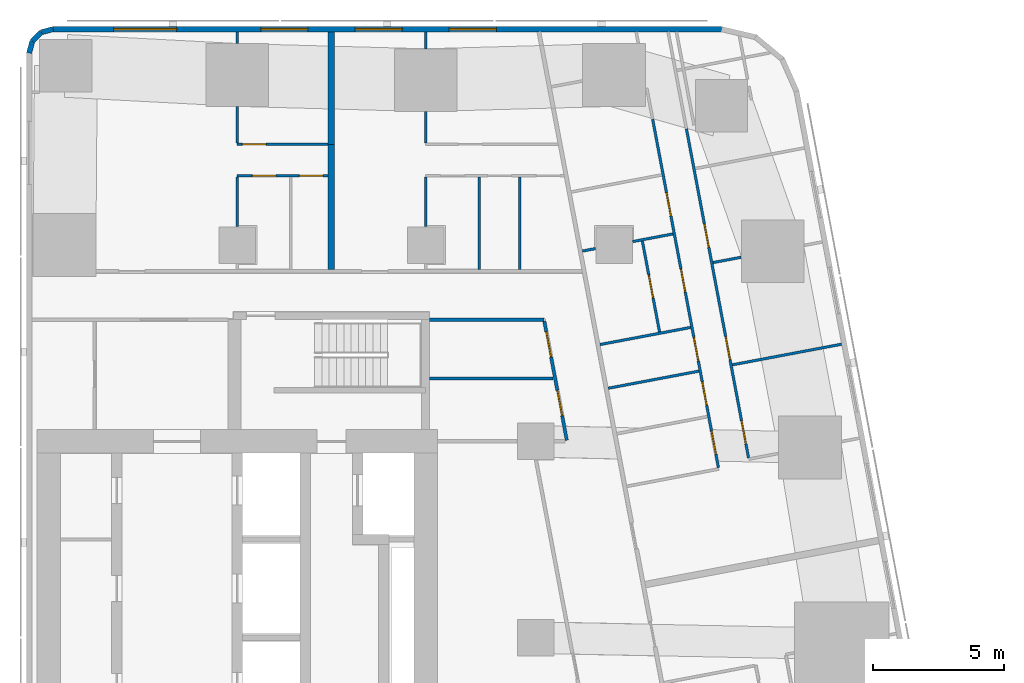
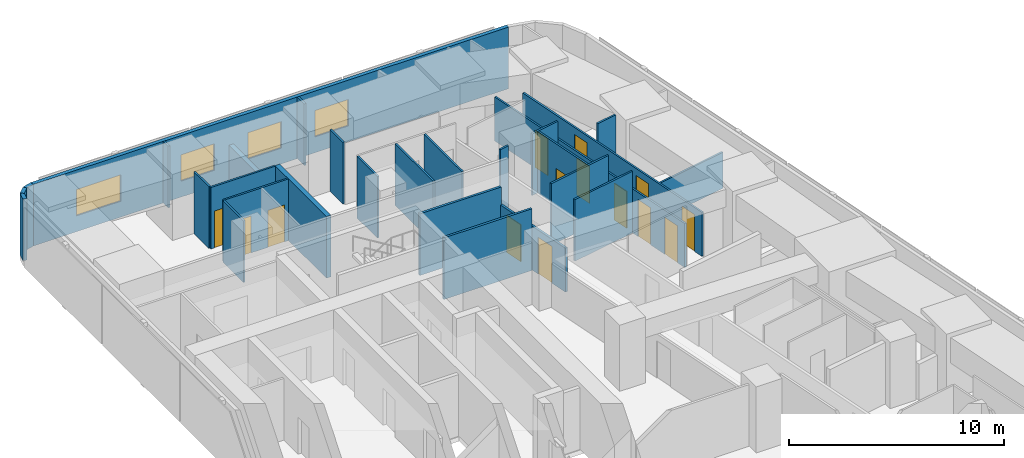
# One storey, part 7 of 10: 28 walls, 14 doors, 4 windows, 18 openings.
"""IFC4 building model written with IfcOpenShell, lengths in metres."""

from ifc_helpers import new_model, si_unit, direction, frame, frame_2d, origin, place, context, subcontext, project, spatial, rectangle, extrude, material, layer, layer_set, type_object, element, fill, save


model = new_model("IFC4")

# Units and contexts
model_context = context("Model", 3, precision=1e-05, world=origin(), true_north=direction((0.0, 1.0)))
body_context = subcontext(model_context, "Body", "Model", "MODEL_VIEW")
ifc_project = project(units=[si_unit("LENGTHUNIT", "METRE"), si_unit("AREAUNIT", "SQUARE_METRE"), si_unit("VOLUMEUNIT", "CUBIC_METRE"), si_unit("PLANEANGLEUNIT", "RADIAN"), si_unit("MASSUNIT", "GRAM", prefix="KILO")], contexts=[model_context])

# Site, building, storey
site_placement = place(None, origin())
site = spatial("IfcSite", under=ifc_project, at=site_placement, CompositionType="ELEMENT")
building_placement = place(site_placement, origin())
building = spatial("IfcBuilding", under=site, at=building_placement, Name="Sheger Commons Tower", CompositionType="ELEMENT")
storey_placement = place(building_placement, frame((0.0, 0.0, 227.449951171875)))
storey = spatial("IfcBuildingStorey", under=building, at=storey_placement, Name="L58", CompositionType="ELEMENT", Elevation=227.449951171875)

# Walls
ifc_material_1 = material(Name="Dense concrete block masonry, plastered both sides (separating wall between flats)", Category="masonry")
ifc_layer_1 = layer(ifc_material_1, 0.25)
ifc_layer_set_1 = layer_set([ifc_layer_1], Name="DEMISING WALL 250")
wall_type_1 = type_object("IfcWallType", Name="DEMISING WALL 250", PredefinedType="SOLIDWALL", material=ifc_layer_set_1)
wall_1_placement = place(storey_placement, frame((25.199951171875, 41.35009765625, 0.0), z_axis=(0.0, 0.0, 1.0), x_axis=(0.0, 1.0, 0.0)))
element("IfcWall", 1, at=wall_1_placement, inside=storey, type_object=wall_type_1, Name="Demising wall L58", PredefinedType="SOLIDWALL", context=body_context, shape_type="SweptSolid", body=[
    extrude(rectangle(XDim=4.2998046875, YDim=0.25, at=frame_2d((2.14990234375, 0.0))), origin(), (0.0, 0.0, 1.0), 2.050048828125),
])
wall_2_placement = place(storey_placement, frame((25.199951171875, 36.574951171875, 0.0), z_axis=(0.0, 0.0, 1.0), x_axis=(0.0, 1.0, 0.0)))
element("IfcWall", 2, at=wall_2_placement, inside=storey, type_object=wall_type_1, Name="Demising wall L58", PredefinedType="SOLIDWALL", context=body_context, shape_type="SweptSolid", body=[
    extrude(rectangle(XDim=4.775146484375, YDim=0.25, at=frame_2d((2.3876953125, 0.0))), origin(), (0.0, 0.0, 1.0), 3.5),
])

# Wall, openings, windows
ifc_material_2 = material(Name="Rendered concrete block masonry, dark grey", Category="masonry")
ifc_layer_2 = layer(ifc_material_2, 0.199951171875)
ifc_layer_set_2 = layer_set([ifc_layer_2], Name="FACADE WALL 200")
wall_type_2 = type_object("IfcWallType", Name="FACADE WALL 200", PredefinedType="SOLIDWALL", material=ifc_layer_set_2)
wall_3_placement = place(storey_placement, frame((40.10595703125, 45.75, 0.0), z_axis=(0.0, 0.0, 1.0), x_axis=(-1.0, 0.0, 0.0)))
wall_3 = element("IfcWall", 3, at=wall_3_placement, inside=storey, type_object=wall_type_2, Name="Facade wall L58", PredefinedType="SOLIDWALL", context=body_context, shape_type="SweptSolid", body=[
    extrude(rectangle(XDim=25.54296875, YDim=0.199951171875, at=frame_2d((12.771484375, 0.0))), origin(), (0.0, 0.0, 1.0), 3.5),
])
opening_1_placement = place(wall_3_placement, frame((8.60595703125, 0.0, 0.89990234375)))
opening_1 = element("IfcOpeningElement", 4, at=opening_1_placement, cuts=wall_3, Name="Opening W2", PredefinedType="OPENING", context=body_context, shape_type="SweptSolid", body=[
    extrude(rectangle(XDim=1.800048828125, YDim=1.5, at=frame_2d((0.89990234375, 0.75))), frame((0.0, 0.10986328125, 0.0), z_axis=(0.0, -1.0, 0.0), x_axis=(1.0, 0.0, 0.0)), (0.0, 0.0, 1.0), 0.219970703125),
])
opening_2_placement = place(wall_3_placement, frame((12.2060546875, 0.0, 0.89990234375)))
opening_2 = element("IfcOpeningElement", 5, at=opening_2_placement, cuts=wall_3, Name="Opening W2", PredefinedType="OPENING", context=body_context, shape_type="SweptSolid", body=[
    extrude(rectangle(XDim=1.800048828125, YDim=1.5, at=frame_2d((0.89990234375, 0.75))), frame((0.0, 0.10986328125, 0.0), z_axis=(0.0, -1.0, 0.0), x_axis=(1.0, 0.0, 0.0)), (0.0, 0.0, 1.0), 0.219970703125),
])
opening_3_placement = place(wall_3_placement, frame((15.805908203125, 0.0, 0.89990234375)))
opening_3 = element("IfcOpeningElement", 6, at=opening_3_placement, cuts=wall_3, Name="Opening W2", PredefinedType="OPENING", context=body_context, shape_type="SweptSolid", body=[
    extrude(rectangle(XDim=1.800048828125, YDim=1.5, at=frame_2d((0.89990234375, 0.75))), frame((0.0, 0.10986328125, 0.0), z_axis=(0.0, -1.0, 0.0), x_axis=(1.0, 0.0, 0.0)), (0.0, 0.0, 1.0), 0.219970703125),
])
opening_4_placement = place(wall_3_placement, frame((20.824951171875, 0.0, 0.89990234375)))
opening_4 = element("IfcOpeningElement", 7, at=opening_4_placement, cuts=wall_3, Name="Opening W1", PredefinedType="OPENING", context=body_context, shape_type="SweptSolid", body=[
    extrude(rectangle(XDim=2.39990234375, YDim=1.5, at=frame_2d((1.199951171875, 0.75))), frame((0.0, 0.10986328125, 0.0), z_axis=(0.0, -1.0, 0.0), x_axis=(1.0, 0.0, 0.0)), (0.0, 0.0, 1.0), 0.219970703125),
])
ifc_material_3 = material(Name="Black aluminium frame, dark tinted double glazing", Category="aluminium")
window_type_1 = type_object("IfcWindowType", Name="WINDOW W1 2400x1500", PartitioningType="SINGLE_PANEL", PredefinedType="WINDOW", material=ifc_material_3)
window_1_placement = place(opening_4_placement, origin())
window_1 = element("IfcWindow", 8, at=window_1_placement, inside=storey, type_object=window_type_1, Name="Window W1 2400X1500", OverallHeight=1.5, OverallWidth=2.39990234375, PartitioningType="SINGLE_PANEL", PredefinedType="WINDOW", context=body_context, shape_type="SweptSolid", body=[
    extrude(rectangle(XDim=2.39990234375, YDim=1.5, at=frame_2d((1.199951171875, 0.75))), frame((0.0, 0.030029296875, 0.0), z_axis=(0.0, -1.0, 0.0), x_axis=(1.0, 0.0, 0.0)), (0.0, 0.0, 1.0), 0.06005859375),
])
fill(opening_4, window_1)
ifc_material_4 = material(Name="Black aluminium frame, dark tinted double glazing", Category="aluminium")
window_type_2 = type_object("IfcWindowType", Name="WINDOW W2 1800x1500", PartitioningType="SINGLE_PANEL", PredefinedType="WINDOW", material=ifc_material_4)
window_2_placement = place(opening_1_placement, origin())
window_2 = element("IfcWindow", 9, at=window_2_placement, inside=storey, type_object=window_type_2, Name="Window W2 1800X1500", OverallHeight=1.5, OverallWidth=1.800048828125, PartitioningType="SINGLE_PANEL", PredefinedType="WINDOW", context=body_context, shape_type="SweptSolid", body=[
    extrude(rectangle(XDim=1.800048828125, YDim=1.5, at=frame_2d((0.89990234375, 0.75))), frame((0.0, 0.030029296875, 0.0), z_axis=(0.0, -1.0, 0.0), x_axis=(1.0, 0.0, 0.0)), (0.0, 0.0, 1.0), 0.06005859375),
])
fill(opening_1, window_2)
window_3_placement = place(opening_2_placement, origin())
window_3 = element("IfcWindow", 10, at=window_3_placement, inside=storey, type_object=window_type_2, Name="Window W2 1800X1500", OverallHeight=1.5, OverallWidth=1.800048828125, PartitioningType="SINGLE_PANEL", PredefinedType="WINDOW", context=body_context, shape_type="SweptSolid", body=[
    extrude(rectangle(XDim=1.800048828125, YDim=1.5, at=frame_2d((0.89990234375, 0.75))), frame((0.0, 0.030029296875, 0.0), z_axis=(0.0, -1.0, 0.0), x_axis=(1.0, 0.0, 0.0)), (0.0, 0.0, 1.0), 0.06005859375),
])
fill(opening_2, window_3)
window_4_placement = place(opening_3_placement, origin())
window_4 = element("IfcWindow", 11, at=window_4_placement, inside=storey, type_object=window_type_2, Name="Window W2 1800X1500", OverallHeight=1.5, OverallWidth=1.800048828125, PartitioningType="SINGLE_PANEL", PredefinedType="WINDOW", context=body_context, shape_type="SweptSolid", body=[
    extrude(rectangle(XDim=1.800048828125, YDim=1.5, at=frame_2d((0.89990234375, 0.75))), frame((0.0, 0.030029296875, 0.0), z_axis=(0.0, -1.0, 0.0), x_axis=(1.0, 0.0, 0.0)), (0.0, 0.0, 1.0), 0.06005859375),
])
fill(opening_3, window_4)

# Walls
wall_4_placement = place(storey_placement, frame((14.56298828125, 45.75, 0.0), z_axis=(0.0, 0.0, 1.0), x_axis=(-0.965655254015, -0.259826731483, 0.0)))
element("IfcWall", 12, at=wall_4_placement, inside=storey, type_object=wall_type_2, Name="Facade wall L58", PredefinedType="SOLIDWALL", context=body_context, shape_type="SweptSolid", body=[
    extrude(rectangle(XDim=0.477294921875, YDim=0.199951171875, at=frame_2d((0.23876953125, 0.0))), origin(), (0.0, 0.0, 1.0), 3.5),
])
wall_5_placement = place(storey_placement, frame((14.10205078125, 45.6259765625, 0.0), z_axis=(0.0, 0.0, 1.0), x_axis=(-0.707369890659, -0.706843573776, 0.0)))
element("IfcWall", 13, at=wall_5_placement, inside=storey, type_object=wall_type_2, Name="Facade wall L58", PredefinedType="SOLIDWALL", context=body_context, shape_type="SweptSolid", body=[
    extrude(rectangle(XDim=0.4638671875, YDim=0.199951171875, at=frame_2d((0.23193359375, 0.0))), origin(), (0.0, 0.0, 1.0), 3.5),
])
wall_6_placement = place(storey_placement, frame((13.77392578125, 45.298095703125, 0.0), z_axis=(0.0, 0.0, 1.0), x_axis=(-0.259698463175, -0.965689757751, 0.0)))
element("IfcWall", 14, at=wall_6_placement, inside=storey, type_object=wall_type_2, Name="Facade wall L58", PredefinedType="SOLIDWALL", context=body_context, shape_type="SweptSolid", body=[
    extrude(rectangle(XDim=0.4775390625, YDim=0.199951171875, at=frame_2d((0.23876953125, 0.0))), origin(), (0.0, 0.0, 1.0), 3.5),
])

# Wall, openings, doors
ifc_material_5 = material(Name="Gypsum board on steel studs", Category="steel")
ifc_layer_3 = layer(ifc_material_5, 0.10009765625)
ifc_layer_set_3 = layer_set([ifc_layer_3], Name="PARTITION 100")
wall_type_3 = type_object("IfcWallType", Name="PARTITION 100", PredefinedType="PARTITIONING", material=ifc_layer_set_3)
wall_7_placement = place(storey_placement, frame((38.763916015625, 41.94091796875, 0.0), z_axis=(0.0, 0.0, 1.0), x_axis=(0.185512176227, -0.982641965556, 0.0)))
wall_7 = element("IfcWall", 15, at=wall_7_placement, inside=storey, type_object=wall_type_3, Name="Partition L58", PredefinedType="PARTITIONING", context=body_context, shape_type="SweptSolid", body=[
    extrude(rectangle(XDim=12.791748046875, YDim=0.10009765625, at=frame_2d((6.39599609375, 0.0))), origin(), (0.0, 0.0, 1.0), 2.5),
])
opening_5_placement = place(wall_7_placement, frame((11.35009765625, 0.0, 0.0)))
opening_5 = element("IfcOpeningElement", 16, at=opening_5_placement, cuts=wall_7, Name="Opening D2", PredefinedType="OPENING", context=body_context, shape_type="SweptSolid", body=[
    extrude(rectangle(XDim=0.89990234375, YDim=2.10009765625, at=frame_2d((0.449951171875, 1.050048828125))), frame((0.0, 0.06005859375, 0.0), z_axis=(0.0, -1.0, 0.0), x_axis=(1.0, 0.0, 0.0)), (0.0, 0.0, 1.0), 0.1201171875),
])
opening_6_placement = place(wall_7_placement, frame((8.0849609375, 0.0, 0.0)))
opening_6 = element("IfcOpeningElement", 17, at=opening_6_placement, cuts=wall_7, Name="Opening D2", PredefinedType="OPENING", context=body_context, shape_type="SweptSolid", body=[
    extrude(rectangle(XDim=0.89990234375, YDim=2.10009765625, at=frame_2d((0.449951171875, 1.050048828125))), frame((0.0, 0.06005859375, 0.0), z_axis=(0.0, -1.0, 0.0), x_axis=(1.0, 0.0, 0.0)), (0.0, 0.0, 1.0), 0.1201171875),
])
opening_7_placement = place(wall_7_placement, frame((3.699951171875, 0.0, 0.0)))
opening_7 = element("IfcOpeningElement", 18, at=opening_7_placement, cuts=wall_7, Name="Opening D2", PredefinedType="OPENING", context=body_context, shape_type="SweptSolid", body=[
    extrude(rectangle(XDim=0.89990234375, YDim=2.10009765625, at=frame_2d((0.449951171875, 1.050048828125))), frame((0.0, 0.06005859375, 0.0), z_axis=(0.0, -1.0, 0.0), x_axis=(1.0, 0.0, 0.0)), (0.0, 0.0, 1.0), 0.1201171875),
])
ifc_material_6 = material(Name="Timber door set", Category="wood")
door_type_1 = type_object("IfcDoorType", Name="INTERNAL DOOR 900x2100", OperationType="NOTDEFINED", PredefinedType="DOOR", material=ifc_material_6)
door_1_placement = place(opening_5_placement, origin())
door_1 = element("IfcDoor", 19, at=door_1_placement, inside=storey, type_object=door_type_1, Name="Main bedroom door", OperationType="SINGLE_SWING_RIGHT", OverallHeight=2.10009765625, OverallWidth=0.89990234375, PredefinedType="DOOR", context=body_context, shape_type="SweptSolid", body=[
    extrude(rectangle(XDim=0.89990234375, YDim=2.10009765625, at=frame_2d((0.449951171875, 1.050048828125))), frame((0.0, 0.02490234375, 0.0), z_axis=(0.0, -1.0, 0.0), x_axis=(1.0, 0.0, 0.0)), (0.0, 0.0, 1.0), 0.050048828125),
])
fill(opening_5, door_1)
door_2_placement = place(opening_6_placement, origin())
door_2 = element("IfcDoor", 20, at=door_2_placement, inside=storey, type_object=door_type_1, Name="Bedroom 2 door", OperationType="SINGLE_SWING_RIGHT", OverallHeight=2.10009765625, OverallWidth=0.89990234375, PredefinedType="DOOR", context=body_context, shape_type="SweptSolid", body=[
    extrude(rectangle(XDim=0.89990234375, YDim=2.10009765625, at=frame_2d((0.449951171875, 1.050048828125))), frame((0.0, 0.02490234375, 0.0), z_axis=(0.0, -1.0, 0.0), x_axis=(1.0, 0.0, 0.0)), (0.0, 0.0, 1.0), 0.050048828125),
])
fill(opening_6, door_2)
door_3_placement = place(opening_7_placement, origin())
door_3 = element("IfcDoor", 21, at=door_3_placement, inside=storey, type_object=door_type_1, Name="Bedroom 3 door", OperationType="SINGLE_SWING_RIGHT", OverallHeight=2.10009765625, OverallWidth=0.89990234375, PredefinedType="DOOR", context=body_context, shape_type="SweptSolid", body=[
    extrude(rectangle(XDim=0.89990234375, YDim=2.10009765625, at=frame_2d((0.449951171875, 1.050048828125))), frame((0.0, 0.02490234375, 0.0), z_axis=(0.0, -1.0, 0.0), x_axis=(1.0, 0.0, 0.0)), (0.0, 0.0, 1.0), 0.050048828125),
])
fill(opening_7, door_3)

wall_8_placement = place(storey_placement, frame((37.472900390625, 42.30908203125, 0.0), z_axis=(0.0, 0.0, 1.0), x_axis=(0.185570636839, -0.982630927024, 0.0)))
wall_8 = element("IfcWall", 22, at=wall_8_placement, inside=storey, type_object=wall_type_3, Name="Partition L58", PredefinedType="PARTITIONING", context=body_context, shape_type="SweptSolid", body=[
    extrude(rectangle(XDim=13.553466796875, YDim=0.10009765625, at=frame_2d((6.77685546875, 0.0))), origin(), (0.0, 0.0, 1.0), 2.5),
])
opening_8_placement = place(wall_8_placement, frame((12.1279296875, 0.0, 0.0)))
opening_8 = element("IfcOpeningElement", 23, at=opening_8_placement, cuts=wall_8, Name="Opening D2", PredefinedType="OPENING", context=body_context, shape_type="SweptSolid", body=[
    extrude(rectangle(XDim=0.89990234375, YDim=2.10009765625, at=frame_2d((0.449951171875, 1.050048828125))), frame((0.0, 0.06005859375, 0.0), z_axis=(0.0, -1.0, 0.0), x_axis=(1.0, 0.0, 0.0)), (0.0, 0.0, 1.0), 0.1201171875),
])
opening_9_placement = place(wall_8_placement, frame((8.487060546875, 0.0, 0.0)))
opening_9 = element("IfcOpeningElement", 24, at=opening_9_placement, cuts=wall_8, Name="Opening D2", PredefinedType="OPENING", context=body_context, shape_type="SweptSolid", body=[
    extrude(rectangle(XDim=0.89990234375, YDim=2.10009765625, at=frame_2d((0.449951171875, 1.050048828125))), frame((0.0, 0.06005859375, 0.0), z_axis=(0.0, -1.0, 0.0), x_axis=(1.0, 0.0, 0.0)), (0.0, 0.0, 1.0), 0.1201171875),
])
opening_10_placement = place(wall_8_placement, frame((2.85302734375, 0.0, 0.0)))
opening_10 = element("IfcOpeningElement", 25, at=opening_10_placement, cuts=wall_8, Name="Opening D2", PredefinedType="OPENING", context=body_context, shape_type="SweptSolid", body=[
    extrude(rectangle(XDim=0.89990234375, YDim=2.10009765625, at=frame_2d((0.449951171875, 1.050048828125))), frame((0.0, 0.06005859375, 0.0), z_axis=(0.0, -1.0, 0.0), x_axis=(1.0, 0.0, 0.0)), (0.0, 0.0, 1.0), 0.1201171875),
])
opening_11_placement = place(wall_8_placement, frame((10.219970703125, 0.0, 0.0)))
opening_11 = element("IfcOpeningElement", 26, at=opening_11_placement, cuts=wall_8, Name="Opening D2", PredefinedType="OPENING", context=body_context, shape_type="SweptSolid", body=[
    extrude(rectangle(XDim=0.89990234375, YDim=2.10009765625, at=frame_2d((0.449951171875, 1.050048828125))), frame((0.0, 0.06005859375, 0.0), z_axis=(0.0, -1.0, 0.0), x_axis=(1.0, 0.0, 0.0)), (0.0, 0.0, 1.0), 0.1201171875),
])
opening_12_placement = place(wall_8_placement, frame((5.819091796875, 0.0, 0.0)))
opening_12 = element("IfcOpeningElement", 27, at=opening_12_placement, cuts=wall_8, Name="Opening D2", PredefinedType="OPENING", context=body_context, shape_type="SweptSolid", body=[
    extrude(rectangle(XDim=0.89990234375, YDim=2.10009765625, at=frame_2d((0.449951171875, 1.050048828125))), frame((0.0, 0.06005859375, 0.0), z_axis=(0.0, -1.0, 0.0), x_axis=(1.0, 0.0, 0.0)), (0.0, 0.0, 1.0), 0.1201171875),
])
door_4_placement = place(opening_8_placement, origin())
door_4 = element("IfcDoor", 28, at=door_4_placement, inside=storey, type_object=door_type_1, Name="Bathroom door", OperationType="SINGLE_SWING_LEFT", OverallHeight=2.10009765625, OverallWidth=0.89990234375, PredefinedType="DOOR", context=body_context, shape_type="SweptSolid", body=[
    extrude(rectangle(XDim=0.89990234375, YDim=2.10009765625, at=frame_2d((0.449951171875, 1.050048828125))), frame((0.0, 0.02490234375, 0.0), z_axis=(0.0, -1.0, 0.0), x_axis=(1.0, 0.0, 0.0)), (0.0, 0.0, 1.0), 0.050048828125),
])
fill(opening_8, door_4)
door_5_placement = place(opening_9_placement, origin())
door_5 = element("IfcDoor", 29, at=door_5_placement, inside=storey, type_object=door_type_1, Name="Laundry room door", OperationType="SINGLE_SWING_RIGHT", OverallHeight=2.10009765625, OverallWidth=0.89990234375, PredefinedType="DOOR", context=body_context, shape_type="SweptSolid", body=[
    extrude(rectangle(XDim=0.89990234375, YDim=2.10009765625, at=frame_2d((0.449951171875, 1.050048828125))), frame((0.0, 0.02490234375, 0.0), z_axis=(0.0, -1.0, 0.0), x_axis=(1.0, 0.0, 0.0)), (0.0, 0.0, 1.0), 0.050048828125),
])
fill(opening_9, door_5)
door_6_placement = place(opening_10_placement, origin())
door_6 = element("IfcDoor", 30, at=door_6_placement, inside=storey, type_object=door_type_1, Name="Laundry room door", OperationType="SINGLE_SWING_RIGHT", OverallHeight=2.10009765625, OverallWidth=0.89990234375, PredefinedType="DOOR", context=body_context, shape_type="SweptSolid", body=[
    extrude(rectangle(XDim=0.89990234375, YDim=2.10009765625, at=frame_2d((0.449951171875, 1.050048828125))), frame((0.0, 0.02490234375, 0.0), z_axis=(0.0, -1.0, 0.0), x_axis=(1.0, 0.0, 0.0)), (0.0, 0.0, 1.0), 0.050048828125),
])
fill(opening_10, door_6)
door_7_placement = place(opening_11_placement, origin())
door_7 = element("IfcDoor", 31, at=door_7_placement, inside=storey, type_object=door_type_1, Name="Store door", OperationType="SINGLE_SWING_LEFT", OverallHeight=2.10009765625, OverallWidth=0.89990234375, PredefinedType="DOOR", context=body_context, shape_type="SweptSolid", body=[
    extrude(rectangle(XDim=0.89990234375, YDim=2.10009765625, at=frame_2d((0.449951171875, 1.050048828125))), frame((0.0, 0.02490234375, 0.0), z_axis=(0.0, -1.0, 0.0), x_axis=(1.0, 0.0, 0.0)), (0.0, 0.0, 1.0), 0.050048828125),
])
fill(opening_11, door_7)
door_8_placement = place(opening_12_placement, origin())
door_8 = element("IfcDoor", 32, at=door_8_placement, inside=storey, type_object=door_type_1, Name="Store door", OperationType="SINGLE_SWING_LEFT", OverallHeight=2.10009765625, OverallWidth=0.89990234375, PredefinedType="DOOR", context=body_context, shape_type="SweptSolid", body=[
    extrude(rectangle(XDim=0.89990234375, YDim=2.10009765625, at=frame_2d((0.449951171875, 1.050048828125))), frame((0.0, 0.02490234375, 0.0), z_axis=(0.0, -1.0, 0.0), x_axis=(1.0, 0.0, 0.0)), (0.0, 0.0, 1.0), 0.050048828125),
])
fill(opening_12, door_8)

# Walls
wall_9_placement = place(storey_placement, frame((40.85400390625, 37.033935546875, 0.0), z_axis=(0.0, 0.0, 1.0), x_axis=(-0.982651678759, -0.185460718839, 0.0)))
element("IfcWall", 33, at=wall_9_placement, inside=storey, type_object=wall_type_3, Name="Partition L58", PredefinedType="PARTITIONING", context=body_context, shape_type="SweptSolid", body=[
    extrude(rectangle(XDim=1.093994140625, YDim=0.10009765625, at=frame_2d((0.546875, 0.0))), origin(), (0.0, 0.0, 1.0), 3.5),
])
wall_10_placement = place(storey_placement, frame((44.693115234375, 33.712890625, 0.0), z_axis=(0.0, 0.0, 1.0), x_axis=(-0.982623519589, -0.185609856287, 0.0)))
element("IfcWall", 34, at=wall_10_placement, inside=storey, type_object=wall_type_3, Name="Partition L58", PredefinedType="PARTITIONING", context=body_context, shape_type="SweptSolid", body=[
    extrude(rectangle(XDim=4.249755859375, YDim=0.10009765625, at=frame_2d((2.125, 0.0))), origin(), (0.0, 0.0, 1.0), 2.050048828125),
])
wall_11_placement = place(storey_placement, frame((38.25, 37.925048828125, 0.0), z_axis=(0.0, 0.0, 1.0), x_axis=(-0.982610209589, -0.185680305934, 0.0)))
element("IfcWall", 35, at=wall_11_placement, inside=storey, type_object=wall_type_3, Name="Partition L58", PredefinedType="PARTITIONING", context=body_context, shape_type="SweptSolid", body=[
    extrude(rectangle(XDim=1.5673828125, YDim=0.10009765625, at=frame_2d((0.78369140625, 0.0))), origin(), (0.0, 0.0, 1.0), 3.5),
])
wall_12_placement = place(storey_placement, frame((35.2900390625, 37.365966796875, 0.0), z_axis=(0.0, 0.0, 1.0), x_axis=(-0.982715597703, -0.185121727606, 0.0)))
element("IfcWall", 36, at=wall_12_placement, inside=storey, type_object=wall_type_3, Name="Partition L58", PredefinedType="PARTITIONING", context=body_context, shape_type="SweptSolid", body=[
    extrude(rectangle(XDim=0.512939453125, YDim=0.10009765625, at=frame_2d((0.25634765625, 0.0))), origin(), (0.0, 0.0, 1.0), 3.5),
])
wall_13_placement = place(storey_placement, frame((39.239990234375, 32.68310546875, 0.0), z_axis=(0.0, 0.0, 1.0), x_axis=(-0.982638553676, -0.185530247748, 0.0)))
element("IfcWall", 37, at=wall_13_placement, inside=storey, type_object=wall_type_3, Name="Partition L58", PredefinedType="PARTITIONING", context=body_context, shape_type="SweptSolid", body=[
    extrude(rectangle(XDim=3.525390625, YDim=0.10009765625, at=frame_2d((1.7626953125, 0.0))), origin(), (0.0, 0.0, 1.0), 3.5),
])
wall_14_placement = place(storey_placement, frame((38.924072265625, 34.35302734375, 0.0), z_axis=(0.0, 0.0, 1.0), x_axis=(-0.982629014545, -0.18558076348, 0.0)))
element("IfcWall", 38, at=wall_14_placement, inside=storey, type_object=wall_type_3, Name="Partition L58", PredefinedType="PARTITIONING", context=body_context, shape_type="SweptSolid", body=[
    extrude(rectangle(XDim=3.5244140625, YDim=0.10009765625, at=frame_2d((1.76220703125, 0.0))), origin(), (0.0, 0.0, 1.0), 3.5),
])

# Wall, opening, door
wall_15_placement = place(storey_placement, frame((21.60009765625, 41.35009765625, 0.0), z_axis=(0.0, 0.0, 1.0), x_axis=(1.0, 0.0, 0.0)))
wall_15 = element("IfcWall", 39, at=wall_15_placement, inside=storey, type_object=wall_type_3, Name="Partition L58", PredefinedType="PARTITIONING", context=body_context, shape_type="SweptSolid", body=[
    extrude(rectangle(XDim=3.474853515625, YDim=0.10009765625, at=frame_2d((1.7373046875, 0.0))), origin(), (0.0, 0.0, 1.0), 3.5),
])
opening_13_placement = place(wall_15_placement, frame((0.199951171875, 0.0, 0.0)))
opening_13 = element("IfcOpeningElement", 40, at=opening_13_placement, cuts=wall_15, Name="Opening D2", PredefinedType="OPENING", context=body_context, shape_type="SweptSolid", body=[
    extrude(rectangle(XDim=0.89990234375, YDim=2.10009765625, at=frame_2d((0.449951171875, 1.050048828125))), frame((0.0, 0.06005859375, 0.0), z_axis=(0.0, -1.0, 0.0), x_axis=(1.0, 0.0, 0.0)), (0.0, 0.0, 1.0), 0.1201171875),
])
door_9_placement = place(opening_13_placement, origin())
door_9 = element("IfcDoor", 41, at=door_9_placement, inside=storey, type_object=door_type_1, Name="Main bedroom door", OperationType="SINGLE_SWING_LEFT", OverallHeight=2.10009765625, OverallWidth=0.89990234375, PredefinedType="DOOR", context=body_context, shape_type="SweptSolid", body=[
    extrude(rectangle(XDim=0.89990234375, YDim=2.10009765625, at=frame_2d((0.449951171875, 1.050048828125))), frame((0.0, 0.02490234375, 0.0), z_axis=(0.0, -1.0, 0.0), x_axis=(1.0, 0.0, 0.0)), (0.0, 0.0, 1.0), 0.050048828125),
])
fill(opening_13, door_9)

# Wall, openings, doors
wall_16_placement = place(storey_placement, frame((21.60009765625, 40.14990234375, 0.0), z_axis=(0.0, 0.0, 1.0), x_axis=(1.0, 0.0, 0.0)))
wall_16 = element("IfcWall", 42, at=wall_16_placement, inside=storey, type_object=wall_type_3, Name="Partition L58", PredefinedType="PARTITIONING", context=body_context, shape_type="SweptSolid", body=[
    extrude(rectangle(XDim=3.474853515625, YDim=0.10009765625, at=frame_2d((1.7373046875, 0.0))), origin(), (0.0, 0.0, 1.0), 3.5),
])
opening_14_placement = place(wall_16_placement, frame((0.574951171875, 0.0, 0.0)))
opening_14 = element("IfcOpeningElement", 43, at=opening_14_placement, cuts=wall_16, Name="Opening D2", PredefinedType="OPENING", context=body_context, shape_type="SweptSolid", body=[
    extrude(rectangle(XDim=0.89990234375, YDim=2.10009765625, at=frame_2d((0.449951171875, 1.050048828125))), frame((0.0, 0.06005859375, 0.0), z_axis=(0.0, -1.0, 0.0), x_axis=(1.0, 0.0, 0.0)), (0.0, 0.0, 1.0), 0.1201171875),
])
opening_15_placement = place(wall_16_placement, frame((2.375, 0.0, 0.0)))
opening_15 = element("IfcOpeningElement", 44, at=opening_15_placement, cuts=wall_16, Name="Opening D2", PredefinedType="OPENING", context=body_context, shape_type="SweptSolid", body=[
    extrude(rectangle(XDim=0.89990234375, YDim=2.10009765625, at=frame_2d((0.449951171875, 1.050048828125))), frame((0.0, 0.06005859375, 0.0), z_axis=(0.0, -1.0, 0.0), x_axis=(1.0, 0.0, 0.0)), (0.0, 0.0, 1.0), 0.1201171875),
])
door_10_placement = place(opening_14_placement, origin())
door_10 = element("IfcDoor", 45, at=door_10_placement, inside=storey, type_object=door_type_1, Name="Bathroom door", OperationType="SINGLE_SWING_RIGHT", OverallHeight=2.10009765625, OverallWidth=0.89990234375, PredefinedType="DOOR", context=body_context, shape_type="SweptSolid", body=[
    extrude(rectangle(XDim=0.89990234375, YDim=2.10009765625, at=frame_2d((0.449951171875, 1.050048828125))), frame((0.0, 0.02490234375, 0.0), z_axis=(0.0, -1.0, 0.0), x_axis=(1.0, 0.0, 0.0)), (0.0, 0.0, 1.0), 0.050048828125),
])
fill(opening_14, door_10)
door_11_placement = place(opening_15_placement, origin())
door_11 = element("IfcDoor", 46, at=door_11_placement, inside=storey, type_object=door_type_1, Name="Store door", OperationType="SINGLE_SWING_LEFT", OverallHeight=2.10009765625, OverallWidth=0.89990234375, PredefinedType="DOOR", context=body_context, shape_type="SweptSolid", body=[
    extrude(rectangle(XDim=0.89990234375, YDim=2.10009765625, at=frame_2d((0.449951171875, 1.050048828125))), frame((0.0, 0.02490234375, 0.0), z_axis=(0.0, -1.0, 0.0), x_axis=(1.0, 0.0, 0.0)), (0.0, 0.0, 1.0), 0.050048828125),
])
fill(opening_15, door_11)

# Walls
wall_17_placement = place(storey_placement, frame((21.60009765625, 41.39990234375, 0.0), z_axis=(0.0, 0.0, 1.0), x_axis=(0.0, 1.0, 0.0)))
element("IfcWall", 47, at=wall_17_placement, inside=storey, type_object=wall_type_3, Name="Partition L58", PredefinedType="PARTITIONING", context=body_context, shape_type="SweptSolid", body=[
    extrude(rectangle(XDim=1.399169921875, YDim=0.10009765625, at=frame_2d((0.69970703125, 0.0))), origin(), (0.0, 0.0, 1.0), 3.5),
])
wall_18_placement = place(storey_placement, frame((21.60009765625, 45.200927734375, 0.0), z_axis=(0.0, 0.0, 1.0), x_axis=(0.0, 1.0, 0.0)))
element("IfcWall", 48, at=wall_18_placement, inside=storey, type_object=wall_type_3, Name="Partition L58", PredefinedType="PARTITIONING", context=body_context, shape_type="SweptSolid", body=[
    extrude(rectangle(XDim=0.448974609375, YDim=0.10009765625, at=frame_2d((0.224609375, 0.0))), origin(), (0.0, 0.0, 1.0), 3.5),
])
wall_19_placement = place(storey_placement, frame((21.60009765625, 38.200927734375, 0.0), z_axis=(0.0, 0.0, 1.0), x_axis=(0.0, 1.0, 0.0)))
element("IfcWall", 49, at=wall_19_placement, inside=storey, type_object=wall_type_3, Name="Partition L58", PredefinedType="PARTITIONING", context=body_context, shape_type="SweptSolid", body=[
    extrude(rectangle(XDim=1.899169921875, YDim=0.10009765625, at=frame_2d((0.94970703125, 0.0))), origin(), (0.0, 0.0, 1.0), 3.5),
])
wall_20_placement = place(storey_placement, frame((28.800048828125, 41.39990234375, 0.0), z_axis=(0.0, 0.0, 1.0), x_axis=(0.0, 1.0, 0.0)))
element("IfcWall", 50, at=wall_20_placement, inside=storey, type_object=wall_type_3, Name="Partition L58", PredefinedType="PARTITIONING", context=body_context, shape_type="SweptSolid", body=[
    extrude(rectangle(XDim=1.19921875, YDim=0.10009765625, at=frame_2d((0.599609375, 0.0))), origin(), (0.0, 0.0, 1.0), 3.5),
])
wall_21_placement = place(storey_placement, frame((28.800048828125, 45.0009765625, 0.0), z_axis=(0.0, 0.0, 1.0), x_axis=(0.0, 1.0, 0.0)))
element("IfcWall", 51, at=wall_21_placement, inside=storey, type_object=wall_type_3, Name="Partition L58", PredefinedType="PARTITIONING", context=body_context, shape_type="SweptSolid", body=[
    extrude(rectangle(XDim=0.64892578125, YDim=0.10009765625, at=frame_2d((0.324462890625, 0.0))), origin(), (0.0, 0.0, 1.0), 3.5),
])
wall_22_placement = place(storey_placement, frame((28.800048828125, 38.200927734375, 0.0), z_axis=(0.0, 0.0, 1.0), x_axis=(0.0, 1.0, 0.0)))
element("IfcWall", 52, at=wall_22_placement, inside=storey, type_object=wall_type_3, Name="Partition L58", PredefinedType="PARTITIONING", context=body_context, shape_type="SweptSolid", body=[
    extrude(rectangle(XDim=1.899169921875, YDim=0.10009765625, at=frame_2d((0.94970703125, 0.0))), origin(), (0.0, 0.0, 1.0), 3.5),
])
for number, where, z_axis, x_axis, name in (
    (53, (32.39990234375, 36.574951171875, 0.0), (0.0, 0.0, 1.0), (0.0, 1.0, 0.0), "Partition L58"),
    (54, (30.85009765625, 36.574951171875, 0.0), (0.0, 0.0, 1.0), (0.0, 1.0, 0.0), "Partition L58"),
):
    element("IfcWall", number, at=place(storey_placement, frame(where, z_axis=z_axis, x_axis=x_axis)), inside=storey, type_object=wall_type_3, Name=name, PredefinedType="PARTITIONING", context=body_context, shape_type="SweptSolid", body=[
        extrude(rectangle(XDim=3.525146484375, YDim=0.10009765625, at=frame_2d((1.7626953125, 0.0))), origin(), (0.0, 0.0, 1.0), 3.5),
    ])

# Wall, opening, door
wall_23_placement = place(storey_placement, frame((37.080078125, 37.653076171875, 0.0), z_axis=(0.0, 0.0, 1.0), x_axis=(0.185864634688, -0.982575359742, 0.0)))
wall_23 = element("IfcWall", 55, at=wall_23_placement, inside=storey, type_object=wall_type_3, Name="Partition L58", PredefinedType="PARTITIONING", context=body_context, shape_type="SweptSolid", body=[
    extrude(rectangle(XDim=3.53466796875, YDim=0.10009765625, at=frame_2d((1.767333984375, 0.0))), origin(), (0.0, 0.0, 1.0), 3.5),
])
opening_16_placement = place(wall_23_placement, frame((1.31689453125, 0.0, 0.0)))
opening_16 = element("IfcOpeningElement", 56, at=opening_16_placement, cuts=wall_23, Name="Opening D2", PredefinedType="OPENING", context=body_context, shape_type="SweptSolid", body=[
    extrude(rectangle(XDim=0.89990234375, YDim=2.10009765625, at=frame_2d((0.449951171875, 1.050048828125))), frame((0.0, 0.06005859375, 0.0), z_axis=(0.0, -1.0, 0.0), x_axis=(1.0, 0.0, 0.0)), (0.0, 0.0, 1.0), 0.1201171875),
])
door_12_placement = place(opening_16_placement, origin())
door_12 = element("IfcDoor", 57, at=door_12_placement, inside=storey, type_object=door_type_1, Name="Store door", OperationType="SINGLE_SWING_RIGHT", OverallHeight=2.10009765625, OverallWidth=0.89990234375, PredefinedType="DOOR", context=body_context, shape_type="SweptSolid", body=[
    extrude(rectangle(XDim=0.89990234375, YDim=2.10009765625, at=frame_2d((0.449951171875, 1.050048828125))), frame((0.0, 0.02490234375, 0.0), z_axis=(0.0, -1.0, 0.0), x_axis=(1.0, 0.0, 0.0)), (0.0, 0.0, 1.0), 0.050048828125),
])
fill(opening_16, door_12)

# Wall
ifc_material_7 = material(Name="Gypsum board on steel studs, two layers each side, fire rated", Category="steel")
ifc_layer_4 = layer(ifc_material_7, 0.125)
ifc_layer_set_4 = layer_set([ifc_layer_4], Name="SERVICE WALL 125")
wall_type_4 = type_object("IfcWallType", Name="SERVICE WALL 125", PredefinedType="PARTITIONING", material=ifc_layer_set_4)
wall_24_placement = place(storey_placement, frame((28.949951171875, 34.64990234375, 0.0), z_axis=(0.0, 0.0, 1.0), x_axis=(1.0, 0.0, 0.0)))
element("IfcWall", 58, at=wall_24_placement, inside=storey, type_object=wall_type_4, Name="Service room wall L58", PredefinedType="PARTITIONING", context=body_context, shape_type="SweptSolid", body=[
    extrude(rectangle(XDim=4.381103515625, YDim=0.125, at=frame_2d((2.1904296875, 0.0))), origin(), (0.0, 0.0, 1.0), 3.5),
])

# Wall, openings, doors
wall_25_placement = place(storey_placement, frame((34.193115234375, 30.0400390625, 0.0), z_axis=(0.0, 0.0, 1.0), x_axis=(-0.185626015863, 0.982620467034, 0.0)))
wall_25 = element("IfcWall", 59, at=wall_25_placement, inside=storey, type_object=wall_type_4, Name="Service room wall L58", PredefinedType="PARTITIONING", context=body_context, shape_type="SweptSolid", body=[
    extrude(rectangle(XDim=4.628173828125, YDim=0.125, at=frame_2d((2.31396484375, 0.0))), origin(), (0.0, 0.0, 1.0), 2.5),
])
opening_17_placement = place(wall_25_placement, frame((0.949951171875, 0.0, 0.0)))
opening_17 = element("IfcOpeningElement", 60, at=opening_17_placement, cuts=wall_25, Name="Opening D4", PredefinedType="OPENING", context=body_context, shape_type="SweptSolid", body=[
    extrude(rectangle(XDim=1.0, YDim=2.10009765625, at=frame_2d((0.5, 1.050048828125))), frame((0.0, 0.072509765625, 0.0), z_axis=(0.0, -1.0, 0.0), x_axis=(1.0, 0.0, 0.0)), (0.0, 0.0, 1.0), 0.14501953125),
])
opening_18_placement = place(wall_25_placement, frame((3.22509765625, 0.0, 0.0)))
opening_18 = element("IfcOpeningElement", 61, at=opening_18_placement, cuts=wall_25, Name="Opening D4", PredefinedType="OPENING", context=body_context, shape_type="SweptSolid", body=[
    extrude(rectangle(XDim=1.0, YDim=2.10009765625, at=frame_2d((0.5, 1.050048828125))), frame((0.0, 0.072509765625, 0.0), z_axis=(0.0, -1.0, 0.0), x_axis=(1.0, 0.0, 0.0)), (0.0, 0.0, 1.0), 0.14501953125),
])
ifc_material_8 = material(Name="Steel door set, fire rated", Category="steel")
door_type_2 = type_object("IfcDoorType", Name="SERVICE DOOR 1000x2100", OperationType="NOTDEFINED", PredefinedType="DOOR", material=ifc_material_8)
door_13_placement = place(opening_17_placement, origin())
door_13 = element("IfcDoor", 62, at=door_13_placement, inside=storey, type_object=door_type_2, Name="Linen store door", OperationType="SINGLE_SWING_RIGHT", OverallHeight=2.10009765625, OverallWidth=1.0, PredefinedType="DOOR", context=body_context, shape_type="SweptSolid", body=[
    extrude(rectangle(XDim=1.0, YDim=2.10009765625, at=frame_2d((0.5, 1.050048828125))), frame((0.0, 0.02490234375, 0.0), z_axis=(0.0, -1.0, 0.0), x_axis=(1.0, 0.0, 0.0)), (0.0, 0.0, 1.0), 0.050048828125),
])
fill(opening_17, door_13)
door_14_placement = place(opening_18_placement, origin())
door_14 = element("IfcDoor", 63, at=door_14_placement, inside=storey, type_object=door_type_2, Name="Cleaner's store door", OperationType="SINGLE_SWING_RIGHT", OverallHeight=2.10009765625, OverallWidth=1.0, PredefinedType="DOOR", context=body_context, shape_type="SweptSolid", body=[
    extrude(rectangle(XDim=1.0, YDim=2.10009765625, at=frame_2d((0.5, 1.050048828125))), frame((0.0, 0.02490234375, 0.0), z_axis=(0.0, -1.0, 0.0), x_axis=(1.0, 0.0, 0.0)), (0.0, 0.0, 1.0), 0.050048828125),
])
fill(opening_18, door_14)

# Wall
wall_26_placement = place(storey_placement, frame((28.949951171875, 32.39990234375, 0.0), z_axis=(0.0, 0.0, 1.0), x_axis=(1.0, 0.0, 0.0)))
element("IfcWall", 64, at=wall_26_placement, inside=storey, type_object=wall_type_4, Name="Service room wall L58", PredefinedType="PARTITIONING", context=body_context, shape_type="SweptSolid", body=[
    extrude(rectangle(XDim=4.72216796875, YDim=0.125, at=frame_2d((2.361083984375, 0.0))), origin(), (0.0, 0.0, 1.0), 3.5),
])

save(model, "model.ifc")
